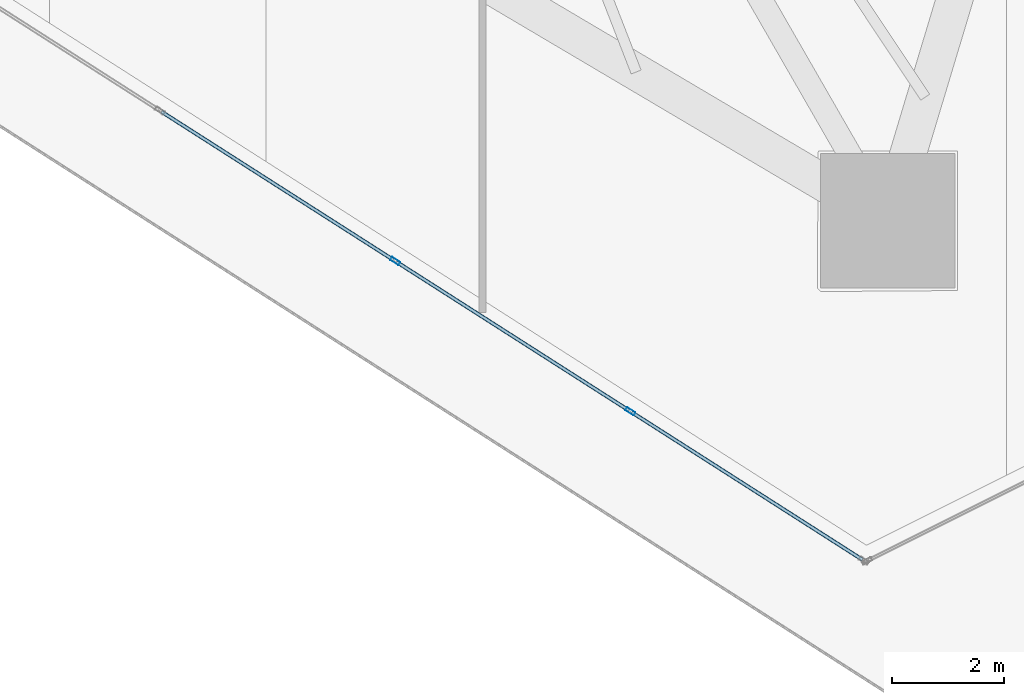
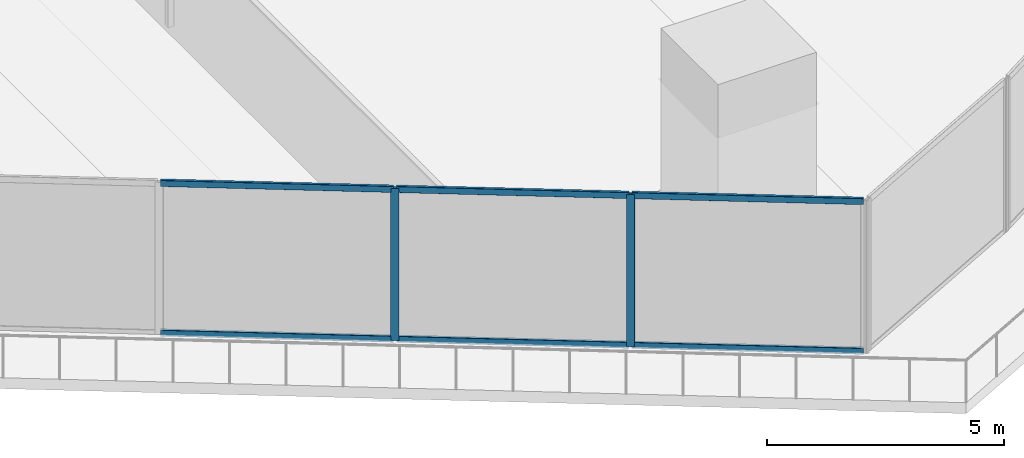
# One storey, part 7 of 44: 8 members, 1 element without a shape of its own.
"""IFC4 building model written with IfcOpenShell, lengths in metres."""

from ifc_helpers import new_model, si_unit, direction, frame, origin, origin_2d, place, context, subcontext, project, spatial, hollow_rectangle, extrude, material, layer, layer_set, material_profile, profile_set, type_object, element, aggregate, save


model = new_model("IFC4")

# Units and contexts
model_context = context("Model", 3, precision=1e-05, world=origin(), true_north=direction((0.0, 1.0)))
body_context = subcontext(model_context, "Body", "Model", "MODEL_VIEW")
ifc_project = project(units=[si_unit("LENGTHUNIT", "METRE"), si_unit("AREAUNIT", "SQUARE_METRE"), si_unit("VOLUMEUNIT", "CUBIC_METRE"), si_unit("PLANEANGLEUNIT", "RADIAN"), si_unit("MASSUNIT", "GRAM", prefix="KILO")], contexts=[model_context])

# Site, building, storey
site_placement = place(None, origin())
site = spatial("IfcSite", under=ifc_project, at=site_placement, CompositionType="ELEMENT")
building_placement = place(site_placement, origin())
building = spatial("IfcBuilding", under=site, at=building_placement, Name="Qorvath Tower", CompositionType="ELEMENT")
storey_placement = place(building_placement, frame((0.0, 0.0, 40.800048828125)))
storey = spatial("IfcBuildingStorey", under=building, at=storey_placement, Name="L08", CompositionType="ELEMENT", Elevation=40.800048828125)

# Curtain wall, members
ifc_material_1 = material(Name="Anodised aluminium and triple low-E glass", Category="aluminium")
ifc_layer = layer(ifc_material_1, 0.179931640625)
ifc_layer_set = layer_set([ifc_layer], Name="CW-SYS-2")
curtain_wall_type = type_object("IfcCurtainWallType", Name="CW-SYS-2", PredefinedType="NOTDEFINED", material=ifc_layer_set)
curtain_wall_placement = place(storey_placement, origin())
curtain_wall = element("IfcCurtainWall", 1, at=curtain_wall_placement, inside=storey, type_object=curtain_wall_type, Name="Curtain Wall CW-2 CW-T-L08-2.2", PredefinedType="NOTDEFINED")
ifc_material_2 = material(Name="Anodised aluminium 6063-T6", Category="aluminium")
ifc_material_profile_1 = material_profile(ifc_material_2, hollow_rectangle(XDim=0.06494140625, YDim=0.179931640625, WallThickness=0.00341796875, InnerFilletRadius=0.00341796875, OuterFilletRadius=0.007080078125, at=origin_2d()), Name="CWM 180x65")
ifc_profile_set_1 = profile_set([ifc_material_profile_1], Name="Anodised aluminium 6063-T6")
member_type_1 = type_object("IfcMemberType", Name="CWM-180", PredefinedType="MULLION", material=ifc_profile_set_1)
member_1_placement = place(storey_placement, frame((-23.25146484375, -28.047119140625, 0.0), z_axis=(0.0, 0.0, 1.0), x_axis=(0.538536571861, 0.842602136698, 0.0)))
member_1 = element("IfcMember", 2, at=member_1_placement, type_object=member_type_1, Name="CW-2 mullion 5", PredefinedType="MULLION", context=body_context, shape_type="SweptSolid", body=[
    extrude(hollow_rectangle(XDim=0.06494140625, YDim=0.179931640625, WallThickness=0.00341796875, InnerFilletRadius=0.00341796875, OuterFilletRadius=0.007080078125, at=origin_2d()), origin(), (0.0, 0.0, 1.0), 3.919921875),
])
member_2_placement = place(storey_placement, frame((-19.057861328125, -30.7275390625, 0.0), z_axis=(0.0, 0.0, 1.0), x_axis=(0.538536571861, 0.842602136698, 0.0)))
member_2 = element("IfcMember", 3, at=member_2_placement, type_object=member_type_1, Name="CW-2 mullion 6", PredefinedType="MULLION", context=body_context, shape_type="SweptSolid", body=[
    extrude(hollow_rectangle(XDim=0.06494140625, YDim=0.179931640625, WallThickness=0.00341796875, InnerFilletRadius=0.00341796875, OuterFilletRadius=0.007080078125, at=origin_2d()), origin(), (0.0, 0.0, 1.0), 3.919921875),
])
ifc_material_3 = material(Name="Anodised aluminium 6063-T6", Category="aluminium")
ifc_material_profile_2 = material_profile(ifc_material_3, hollow_rectangle(XDim=0.06494140625, YDim=0.159912109375, WallThickness=0.00341796875, InnerFilletRadius=0.00341796875, OuterFilletRadius=0.007080078125, at=origin_2d()), Name="CWT 160x65")
ifc_profile_set_2 = profile_set([ifc_material_profile_2], Name="Anodised aluminium 6063-T6")
member_type_2 = type_object("IfcMemberType", Name="CWT-160", PredefinedType="USERDEFINED", material=ifc_profile_set_2)
member_3_placement = place(storey_placement, frame((-27.41796875, -25.38427734375, 0.032470703125), z_axis=(0.842599789042, -0.53854024502, 0.0), x_axis=(0.53854024502, 0.842599789042, 0.0)))
member_3 = element("IfcMember", 4, at=member_3_placement, type_object=member_type_2, Name="CW-2 transom 4.1", ObjectType="TRANSOM", PredefinedType="USERDEFINED", context=body_context, shape_type="SweptSolid", body=[
    extrude(hollow_rectangle(XDim=0.06494140625, YDim=0.159912109375, WallThickness=0.00341796875, InnerFilletRadius=0.00341796875, OuterFilletRadius=0.007080078125, at=origin_2d()), origin(), (0.0, 0.0, 1.0), 4.912353515625),
])
member_4_placement = place(storey_placement, frame((-27.41796875, -25.38427734375, 3.887451171875), z_axis=(0.842599789042, -0.53854024502, 0.0), x_axis=(0.53854024502, 0.842599789042, 0.0)))
member_4 = element("IfcMember", 5, at=member_4_placement, type_object=member_type_2, Name="CW-2 transom 4.2", ObjectType="TRANSOM", PredefinedType="USERDEFINED", context=body_context, shape_type="SweptSolid", body=[
    extrude(hollow_rectangle(XDim=0.06494140625, YDim=0.159912109375, WallThickness=0.00341796875, InnerFilletRadius=0.00341796875, OuterFilletRadius=0.007080078125, at=origin_2d()), origin(), (0.0, 0.0, 1.0), 4.912353515625),
])
member_5_placement = place(storey_placement, frame((-23.22412109375, -28.064697265625, 0.032470703125), z_axis=(0.842585374104, -0.538562797959, 0.0), x_axis=(0.538562797959, 0.842585374104, 0.0)))
member_5 = element("IfcMember", 6, at=member_5_placement, type_object=member_type_2, Name="CW-2 transom 5.1", ObjectType="TRANSOM", PredefinedType="USERDEFINED", context=body_context, shape_type="SweptSolid", body=[
    extrude(hollow_rectangle(XDim=0.06494140625, YDim=0.159912109375, WallThickness=0.00341796875, InnerFilletRadius=0.00341796875, OuterFilletRadius=0.007080078125, at=origin_2d()), origin(), (0.0, 0.0, 1.0), 4.912109375),
])
member_6_placement = place(storey_placement, frame((-23.22412109375, -28.064697265625, 3.887451171875), z_axis=(0.842585374104, -0.538562797959, 0.0), x_axis=(0.538562797959, 0.842585374104, 0.0)))
member_6 = element("IfcMember", 7, at=member_6_placement, type_object=member_type_2, Name="CW-2 transom 5.2", ObjectType="TRANSOM", PredefinedType="USERDEFINED", context=body_context, shape_type="SweptSolid", body=[
    extrude(hollow_rectangle(XDim=0.06494140625, YDim=0.159912109375, WallThickness=0.00341796875, InnerFilletRadius=0.00341796875, OuterFilletRadius=0.007080078125, at=origin_2d()), origin(), (0.0, 0.0, 1.0), 4.912109375),
])
member_7_placement = place(storey_placement, frame((-19.0302734375, -30.7451171875, 0.032470703125), z_axis=(0.842594727147, -0.538548164777, 0.0), x_axis=(0.538548164777, 0.842594727147, 0.0)))
member_7 = element("IfcMember", 8, at=member_7_placement, type_object=member_type_2, Name="CW-2 transom 6.1", ObjectType="TRANSOM", PredefinedType="USERDEFINED", context=body_context, shape_type="SweptSolid", body=[
    extrude(hollow_rectangle(XDim=0.06494140625, YDim=0.159912109375, WallThickness=0.00341796875, InnerFilletRadius=0.00341796875, OuterFilletRadius=0.007080078125, at=origin_2d()), origin(), (0.0, 0.0, 1.0), 4.879638671875),
])
member_8_placement = place(storey_placement, frame((-19.0302734375, -30.7451171875, 3.887451171875), z_axis=(0.842594727147, -0.538548164777, 0.0), x_axis=(0.538548164777, 0.842594727147, 0.0)))
member_8 = element("IfcMember", 9, at=member_8_placement, type_object=member_type_2, Name="CW-2 transom 6.2", ObjectType="TRANSOM", PredefinedType="USERDEFINED", context=body_context, shape_type="SweptSolid", body=[
    extrude(hollow_rectangle(XDim=0.06494140625, YDim=0.159912109375, WallThickness=0.00341796875, InnerFilletRadius=0.00341796875, OuterFilletRadius=0.007080078125, at=origin_2d()), origin(), (0.0, 0.0, 1.0), 4.879638671875),
])
aggregate(curtain_wall, [member_1, member_2, member_3, member_4, member_5, member_6, member_7, member_8])

save(model, "model.ifc")
